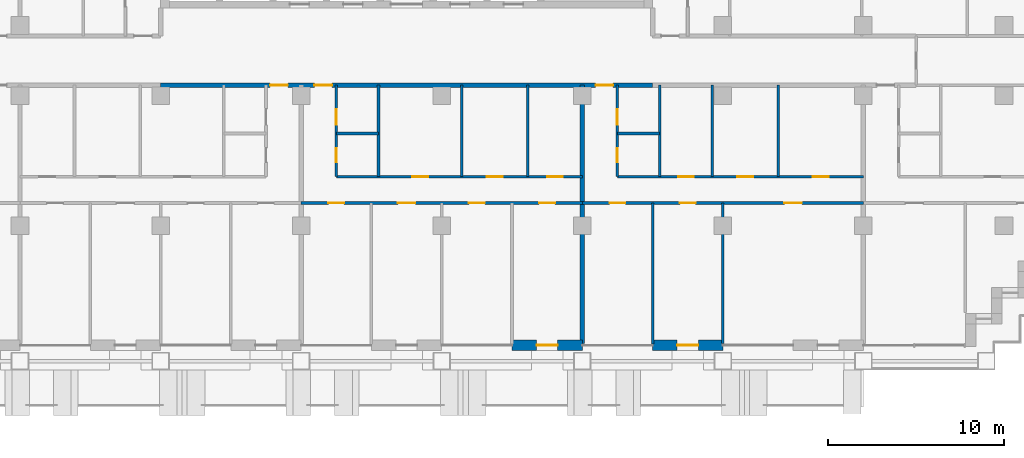
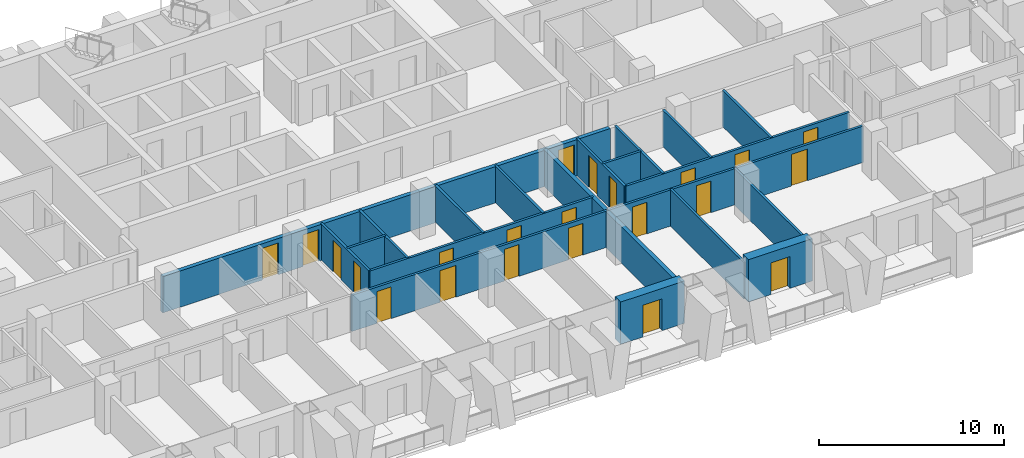
# One storey, part 11 of 19: 22 doors, 20 walls, 22 openings.
"""IFC4 building model written with IfcOpenShell, lengths in metres."""

from ifc_helpers import new_model, si_unit, direction, frame, frame_2d, origin, place, context, subcontext, project, spatial, rectangle, extrude, material, layer, layer_set, type_object, element, fill, save


model = new_model("IFC4")

# Units and contexts
model_context = context("Model", 3, precision=1e-05, world=origin(), true_north=direction((0.0, 1.0)))
body_context = subcontext(model_context, "Body", "Model", "MODEL_VIEW")
ifc_project = project(units=[si_unit("LENGTHUNIT", "METRE"), si_unit("AREAUNIT", "SQUARE_METRE"), si_unit("VOLUMEUNIT", "CUBIC_METRE"), si_unit("PLANEANGLEUNIT", "RADIAN"), si_unit("MASSUNIT", "GRAM", prefix="KILO")], contexts=[model_context])

# Site, building, storey
site_placement = place(None, origin())
site = spatial("IfcSite", under=ifc_project, at=site_placement, CompositionType="ELEMENT")
building_placement = place(site_placement, origin())
building = spatial("IfcBuilding", under=site, at=building_placement, Name="Vidyagriha Tower", CompositionType="ELEMENT")
storey_placement = place(building_placement, frame((0.0, 0.0, 60.800048828125)))
storey = spatial("IfcBuildingStorey", under=building, at=storey_placement, Name="L16", CompositionType="ELEMENT", Elevation=60.800048828125)

# Wall, opening, door
ifc_material_1 = material(Name="Precast concrete C40/50 with brick facing", Category="concrete")
ifc_layer_1 = layer(ifc_material_1, 0.60009765625)
ifc_layer_set_1 = layer_set([ifc_layer_1], Name="Precast concrete C40/50 with brick facing")
wall_type_1 = type_object("IfcWallType", Name="Brick-faced precast wall 600", PredefinedType="STANDARD", material=ifc_layer_set_1)
wall_1_placement = place(storey_placement, frame((6.0, -16.199951171875, 0.0)))
wall_1 = element("IfcWall", 1, at=wall_1_placement, inside=storey, type_object=wall_type_1, Name="Brick door bay wall L16 R23.11", PredefinedType="STANDARD", context=body_context, shape_type="SweptSolid", body=[
    extrude(rectangle(XDim=4.0, YDim=0.60009765625, at=frame_2d((2.0, 0.0))), origin(), (0.0, 0.0, 1.0), 2.800048828125),
])
opening_1_placement = place(wall_1_placement, frame((1.39990234375, 0.0, 0.0)))
opening_1 = element("IfcOpeningElement", 2, at=opening_1_placement, cuts=wall_1, Name="Opening D16-87", PredefinedType="OPENING", context=body_context, shape_type="SweptSolid", body=[
    extrude(rectangle(XDim=1.199951171875, YDim=2.10009765625, at=frame_2d((0.60009765625, 1.050048828125))), frame((0.0, 0.31005859375, 0.0), z_axis=(0.0, -1.0, 0.0), x_axis=(1.0, 0.0, 0.0)), (0.0, 0.0, 1.0), 0.6201171875),
])
ifc_material_2 = material(Name="Aluminium framed glazed sliding door", Category="aluminium")
door_type_1 = type_object("IfcDoorType", Name="Balcony sliding door 1200x2100", OperationType="NOTDEFINED", PredefinedType="DOOR", material=ifc_material_2)
door_1_placement = place(opening_1_placement, origin())
door_1 = element("IfcDoor", 3, at=door_1_placement, inside=storey, type_object=door_type_1, Name="Door D16-87", OperationType="SLIDING_TO_LEFT", OverallHeight=2.10009765625, OverallWidth=1.199951171875, PredefinedType="DOOR", context=body_context, shape_type="SweptSolid", body=[
    extrude(rectangle(XDim=1.199951171875, YDim=2.10009765625, at=frame_2d((0.60009765625, 1.050048828125))), frame((0.0, 0.02490234375, 0.0), z_axis=(0.0, -1.0, 0.0), x_axis=(1.0, 0.0, 0.0)), (0.0, 0.0, 1.0), 0.050048828125),
])
fill(opening_1, door_1)

wall_2_placement = place(storey_placement, frame((14.0, -16.199951171875, 0.0)))
wall_2 = element("IfcWall", 4, at=wall_2_placement, inside=storey, type_object=wall_type_1, Name="Brick door bay wall L16 R23.13", PredefinedType="STANDARD", context=body_context, shape_type="SweptSolid", body=[
    extrude(rectangle(XDim=4.0, YDim=0.60009765625, at=frame_2d((2.0, 0.0))), origin(), (0.0, 0.0, 1.0), 2.800048828125),
])
opening_2_placement = place(wall_2_placement, frame((1.39990234375, 0.0, 0.0)))
opening_2 = element("IfcOpeningElement", 5, at=opening_2_placement, cuts=wall_2, Name="Opening D16-88", PredefinedType="OPENING", context=body_context, shape_type="SweptSolid", body=[
    extrude(rectangle(XDim=1.199951171875, YDim=2.10009765625, at=frame_2d((0.60009765625, 1.050048828125))), frame((0.0, 0.31005859375, 0.0), z_axis=(0.0, -1.0, 0.0), x_axis=(1.0, 0.0, 0.0)), (0.0, 0.0, 1.0), 0.6201171875),
])
door_2_placement = place(opening_2_placement, origin())
door_2 = element("IfcDoor", 6, at=door_2_placement, inside=storey, type_object=door_type_1, Name="Door D16-88", OperationType="SLIDING_TO_LEFT", OverallHeight=2.10009765625, OverallWidth=1.199951171875, PredefinedType="DOOR", context=body_context, shape_type="SweptSolid", body=[
    extrude(rectangle(XDim=1.199951171875, YDim=2.10009765625, at=frame_2d((0.60009765625, 1.050048828125))), frame((0.0, 0.02490234375, 0.0), z_axis=(0.0, -1.0, 0.0), x_axis=(1.0, 0.0, 0.0)), (0.0, 0.0, 1.0), 0.050048828125),
])
fill(opening_2, door_2)

# Wall, openings, doors
ifc_material_3 = material(Name="Fired clay brick masonry", Category="masonry")
ifc_layer_2 = layer(ifc_material_3, 0.25)
ifc_layer_set_2 = layer_set([ifc_layer_2], Name="Fired clay brick masonry")
wall_type_2 = type_object("IfcWallType", Name="Fired clay brick corridor wall 250", PredefinedType="PARTITIONING", material=ifc_layer_set_2)
wall_3_placement = place(storey_placement, frame((14.0, -1.39990234375, 0.0), z_axis=(0.0, 0.0, 1.0), x_axis=(-1.0, 0.0, 0.0)))
wall_3 = element("IfcWall", 7, at=wall_3_placement, inside=storey, type_object=wall_type_2, Name="Wall all-L16-w146", PredefinedType="PARTITIONING", context=body_context, shape_type="SweptSolid", body=[
    extrude(rectangle(XDim=28.0, YDim=0.25, at=frame_2d((14.0, 0.0))), origin(), (0.0, 0.0, 1.0), 2.39990234375),
])
opening_3_placement = place(wall_3_placement, frame((20.760009765625, 0.0, 0.0)))
opening_3 = element("IfcOpeningElement", 8, at=opening_3_placement, cuts=wall_3, Name="Opening D16-31", PredefinedType="OPENING", context=body_context, shape_type="SweptSolid", body=[
    extrude(rectangle(XDim=1.0, YDim=2.10009765625, at=frame_2d((0.5, 1.050048828125))), frame((0.0, 0.135009765625, 0.0), z_axis=(0.0, -1.0, 0.0), x_axis=(1.0, 0.0, 0.0)), (0.0, 0.0, 1.0), 0.27001953125),
])
opening_4_placement = place(wall_3_placement, frame((18.239990234375, 0.0, 0.0)))
opening_4 = element("IfcOpeningElement", 9, at=opening_4_placement, cuts=wall_3, Name="Opening D16-41", PredefinedType="OPENING", context=body_context, shape_type="SweptSolid", body=[
    extrude(rectangle(XDim=1.0, YDim=2.10009765625, at=frame_2d((0.5, 1.050048828125))), frame((0.0, 0.135009765625, 0.0), z_axis=(0.0, -1.0, 0.0), x_axis=(1.0, 0.0, 0.0)), (0.0, 0.0, 1.0), 0.27001953125),
])
opening_5_placement = place(wall_3_placement, frame((2.239990234375, 0.0, 0.0)))
opening_5 = element("IfcOpeningElement", 10, at=opening_5_placement, cuts=wall_3, Name="Opening D16-50", PredefinedType="OPENING", context=body_context, shape_type="SweptSolid", body=[
    extrude(rectangle(XDim=1.0, YDim=2.10009765625, at=frame_2d((0.5, 1.050048828125))), frame((0.0, 0.135009765625, 0.0), z_axis=(0.0, -1.0, 0.0), x_axis=(1.0, 0.0, 0.0)), (0.0, 0.0, 1.0), 0.27001953125),
])
ifc_material_4 = material(Name="Fire-rated timber door leaf EI 60", Category="wood")
door_type_2 = type_object("IfcDoorType", Name="Flat entrance fire door 1000x2100", OperationType="NOTDEFINED", PredefinedType="DOOR", material=ifc_material_4)
door_3_placement = place(opening_3_placement, origin())
door_3 = element("IfcDoor", 11, at=door_3_placement, inside=storey, type_object=door_type_2, Name="Door D16-31", OperationType="SINGLE_SWING_LEFT", OverallHeight=2.10009765625, OverallWidth=1.0, PredefinedType="DOOR", context=body_context, shape_type="SweptSolid", body=[
    extrude(rectangle(XDim=1.0, YDim=2.10009765625, at=frame_2d((0.5, 1.050048828125))), frame((0.0, 0.02490234375, 0.0), z_axis=(0.0, -1.0, 0.0), x_axis=(1.0, 0.0, 0.0)), (0.0, 0.0, 1.0), 0.050048828125),
])
fill(opening_3, door_3)
door_4_placement = place(opening_4_placement, origin())
door_4 = element("IfcDoor", 12, at=door_4_placement, inside=storey, type_object=door_type_2, Name="Door D16-41", OperationType="SINGLE_SWING_RIGHT", OverallHeight=2.10009765625, OverallWidth=1.0, PredefinedType="DOOR", context=body_context, shape_type="SweptSolid", body=[
    extrude(rectangle(XDim=1.0, YDim=2.10009765625, at=frame_2d((0.5, 1.050048828125))), frame((0.0, 0.02490234375, 0.0), z_axis=(0.0, -1.0, 0.0), x_axis=(1.0, 0.0, 0.0)), (0.0, 0.0, 1.0), 0.050048828125),
])
fill(opening_4, door_4)
door_5_placement = place(opening_5_placement, origin())
door_5 = element("IfcDoor", 13, at=door_5_placement, inside=storey, type_object=door_type_2, Name="Door D16-50", OperationType="SINGLE_SWING_RIGHT", OverallHeight=2.10009765625, OverallWidth=1.0, PredefinedType="DOOR", context=body_context, shape_type="SweptSolid", body=[
    extrude(rectangle(XDim=1.0, YDim=2.10009765625, at=frame_2d((0.5, 1.050048828125))), frame((0.0, 0.02490234375, 0.0), z_axis=(0.0, -1.0, 0.0), x_axis=(1.0, 0.0, 0.0)), (0.0, 0.0, 1.0), 0.050048828125),
])
fill(opening_5, door_5)

# Walls
ifc_material_5 = material(Name="Fired clay brick masonry", Category="masonry")
ifc_layer_3 = layer(ifc_material_5, 0.25)
ifc_layer_set_3 = layer_set([ifc_layer_3], Name="Fired clay brick masonry")
wall_type_3 = type_object("IfcWallType", Name="Fired clay brick demising wall 250", PredefinedType="PARTITIONING", material=ifc_layer_set_3)
wall_4_placement = place(storey_placement, frame((10.0, -1.39990234375, 0.0), z_axis=(0.0, 0.0, 1.0), x_axis=(0.0, -1.0, 0.0)))
element("IfcWall", 14, at=wall_4_placement, inside=storey, type_object=wall_type_3, Name="Wall all-L16-w075", PredefinedType="PARTITIONING", context=body_context, shape_type="SweptSolid", body=[
    extrude(rectangle(XDim=14.710205078125, YDim=0.25, at=frame_2d((7.35498046875, 0.0))), origin(), (0.0, 0.0, 1.0), 2.39990234375),
])
ifc_material_6 = material(Name="Gypsum board partition")
ifc_layer_4 = layer(ifc_material_6, 0.14990234375)
ifc_layer_set_4 = layer_set([ifc_layer_4], Name="Gypsum board partition")
wall_type_4 = type_object("IfcWallType", Name="Gypsum board partition 150", PredefinedType="PARTITIONING", material=ifc_layer_set_4)
wall_5_placement = place(storey_placement, frame((-1.60009765625, -4.14990234375, 0.0), z_axis=(0.0, 0.0, 1.0), x_axis=(-1.0, 0.0, 0.0)))
element("IfcWall", 15, at=wall_5_placement, inside=storey, type_object=wall_type_4, Name="Wall all-L16-w039", PredefinedType="PARTITIONING", context=body_context, shape_type="SweptSolid", body=[
    extrude(rectangle(XDim=2.39990234375, YDim=0.14990234375, at=frame_2d((1.199951171875, 0.0))), origin(), (0.0, 0.0, 1.0), 2.39990234375),
])
for number, where, z_axis, x_axis, name in (
    (16, (-1.60009765625, -1.39990234375, 0.0), (0.0, 0.0, 1.0), (0.0, -1.0, 0.0), "Wall all-L16-w040"),
    (17, (3.14990234375, -1.39990234375, 0.0), (0.0, 0.0, 1.0), (0.0, -1.0, 0.0), "Wall all-L16-w041"),
    (18, (6.89990234375, -1.39990234375, 0.0), (0.0, 0.0, 1.0), (0.0, -1.0, 0.0), "Wall all-L16-w042"),
):
    element("IfcWall", number, at=place(storey_placement, frame(where, z_axis=z_axis, x_axis=x_axis)), inside=storey, type_object=wall_type_4, Name=name, PredefinedType="PARTITIONING", context=body_context, shape_type="SweptSolid", body=[
        extrude(rectangle(XDim=5.2001953125, YDim=0.14990234375, at=frame_2d((2.60009765625, 0.0))), origin(), (0.0, 0.0, 1.0), 2.39990234375),
    ])

# Wall, openings, doors
wall_6_placement = place(storey_placement, frame((-4.0, -6.60009765625, 0.0)))
wall_6 = element("IfcWall", 19, at=wall_6_placement, inside=storey, type_object=wall_type_4, Name="Wall all-L16-w043", PredefinedType="PARTITIONING", context=body_context, shape_type="SweptSolid", body=[
    extrude(rectangle(XDim=14.0, YDim=0.14990234375, at=frame_2d((7.0, 0.0))), origin(), (0.0, 0.0, 1.0), 2.39990234375),
])
opening_6_placement = place(wall_6_placement, frame((4.324951171875, 0.0, 0.0)))
opening_6 = element("IfcOpeningElement", 20, at=opening_6_placement, cuts=wall_6, Name="Opening D16-34", PredefinedType="OPENING", context=body_context, shape_type="SweptSolid", body=[
    extrude(rectangle(XDim=0.89990234375, YDim=2.10009765625, at=frame_2d((0.449951171875, 1.050048828125))), frame((0.0, 0.0849609375, 0.0), z_axis=(0.0, -1.0, 0.0), x_axis=(1.0, 0.0, 0.0)), (0.0, 0.0, 1.0), 0.169921875),
])
opening_7_placement = place(wall_6_placement, frame((8.574951171875, 0.0, 0.0)))
opening_7 = element("IfcOpeningElement", 21, at=opening_7_placement, cuts=wall_6, Name="Opening D16-35", PredefinedType="OPENING", context=body_context, shape_type="SweptSolid", body=[
    extrude(rectangle(XDim=0.89990234375, YDim=2.10009765625, at=frame_2d((0.449951171875, 1.050048828125))), frame((0.0, 0.0849609375, 0.0), z_axis=(0.0, -1.0, 0.0), x_axis=(1.0, 0.0, 0.0)), (0.0, 0.0, 1.0), 0.169921875),
])
opening_8_placement = place(wall_6_placement, frame((12.0, 0.0, 0.0)))
opening_8 = element("IfcOpeningElement", 22, at=opening_8_placement, cuts=wall_6, Name="Opening D16-36", PredefinedType="OPENING", context=body_context, shape_type="SweptSolid", body=[
    extrude(rectangle(XDim=0.89990234375, YDim=2.10009765625, at=frame_2d((0.449951171875, 1.050048828125))), frame((0.0, 0.0849609375, 0.0), z_axis=(0.0, -1.0, 0.0), x_axis=(1.0, 0.0, 0.0)), (0.0, 0.0, 1.0), 0.169921875),
])
ifc_material_7 = material(Name="Timber door leaf", Category="wood")
door_type_3 = type_object("IfcDoorType", Name="Room door 900x2100", OperationType="NOTDEFINED", PredefinedType="DOOR", material=ifc_material_7)
door_6_placement = place(opening_6_placement, origin())
door_6 = element("IfcDoor", 23, at=door_6_placement, inside=storey, type_object=door_type_3, Name="Door D16-34", OperationType="SINGLE_SWING_RIGHT", OverallHeight=2.10009765625, OverallWidth=0.89990234375, PredefinedType="DOOR", context=body_context, shape_type="SweptSolid", body=[
    extrude(rectangle(XDim=0.89990234375, YDim=2.10009765625, at=frame_2d((0.449951171875, 1.050048828125))), frame((0.0, 0.02490234375, 0.0), z_axis=(0.0, -1.0, 0.0), x_axis=(1.0, 0.0, 0.0)), (0.0, 0.0, 1.0), 0.050048828125),
])
fill(opening_6, door_6)
door_7_placement = place(opening_7_placement, origin())
door_7 = element("IfcDoor", 24, at=door_7_placement, inside=storey, type_object=door_type_3, Name="Door D16-35", OperationType="SINGLE_SWING_RIGHT", OverallHeight=2.10009765625, OverallWidth=0.89990234375, PredefinedType="DOOR", context=body_context, shape_type="SweptSolid", body=[
    extrude(rectangle(XDim=0.89990234375, YDim=2.10009765625, at=frame_2d((0.449951171875, 1.050048828125))), frame((0.0, 0.02490234375, 0.0), z_axis=(0.0, -1.0, 0.0), x_axis=(1.0, 0.0, 0.0)), (0.0, 0.0, 1.0), 0.050048828125),
])
fill(opening_7, door_7)
door_8_placement = place(opening_8_placement, origin())
door_8 = element("IfcDoor", 25, at=door_8_placement, inside=storey, type_object=door_type_3, Name="Door D16-36", OperationType="SINGLE_SWING_LEFT", OverallHeight=2.10009765625, OverallWidth=0.89990234375, PredefinedType="DOOR", context=body_context, shape_type="SweptSolid", body=[
    extrude(rectangle(XDim=0.89990234375, YDim=2.10009765625, at=frame_2d((0.449951171875, 1.050048828125))), frame((0.0, 0.02490234375, 0.0), z_axis=(0.0, -1.0, 0.0), x_axis=(1.0, 0.0, 0.0)), (0.0, 0.0, 1.0), 0.050048828125),
])
fill(opening_8, door_8)

wall_7_placement = place(storey_placement, frame((10.0, -8.10009765625, 0.0), z_axis=(0.0, 0.0, 1.0), x_axis=(-1.0, 0.0, 0.0)))
wall_7 = element("IfcWall", 26, at=wall_7_placement, inside=storey, type_object=wall_type_4, Name="Wall all-L16-w047", PredefinedType="PARTITIONING", context=body_context, shape_type="SweptSolid", body=[
    extrude(rectangle(XDim=16.0, YDim=0.14990234375, at=frame_2d((8.0, 0.0))), origin(), (0.0, 0.0, 1.0), 2.39990234375),
])
opening_9_placement = place(wall_7_placement, frame((13.550048828125, 0.0, 0.0)))
opening_9 = element("IfcOpeningElement", 27, at=opening_9_placement, cuts=wall_7, Name="Opening D16-37", PredefinedType="OPENING", context=body_context, shape_type="SweptSolid", body=[
    extrude(rectangle(XDim=0.89990234375, YDim=2.10009765625, at=frame_2d((0.449951171875, 1.050048828125))), frame((0.0, 0.0849609375, 0.0), z_axis=(0.0, -1.0, 0.0), x_axis=(1.0, 0.0, 0.0)), (0.0, 0.0, 1.0), 0.169921875),
])
opening_10_placement = place(wall_7_placement, frame((9.5, 0.0, 0.0)))
opening_10 = element("IfcOpeningElement", 28, at=opening_10_placement, cuts=wall_7, Name="Opening D16-38", PredefinedType="OPENING", context=body_context, shape_type="SweptSolid", body=[
    extrude(rectangle(XDim=1.0, YDim=2.10009765625, at=frame_2d((0.5, 1.050048828125))), frame((0.0, 0.0849609375, 0.0), z_axis=(0.0, -1.0, 0.0), x_axis=(1.0, 0.0, 0.0)), (0.0, 0.0, 1.0), 0.169921875),
])
opening_11_placement = place(wall_7_placement, frame((5.550048828125, 0.0, 0.0)))
opening_11 = element("IfcOpeningElement", 29, at=opening_11_placement, cuts=wall_7, Name="Opening D16-39", PredefinedType="OPENING", context=body_context, shape_type="SweptSolid", body=[
    extrude(rectangle(XDim=0.89990234375, YDim=2.10009765625, at=frame_2d((0.449951171875, 1.050048828125))), frame((0.0, 0.0849609375, 0.0), z_axis=(0.0, -1.0, 0.0), x_axis=(1.0, 0.0, 0.0)), (0.0, 0.0, 1.0), 0.169921875),
])
opening_12_placement = place(wall_7_placement, frame((1.550048828125, 0.0, 0.0)))
opening_12 = element("IfcOpeningElement", 30, at=opening_12_placement, cuts=wall_7, Name="Opening D16-40", PredefinedType="OPENING", context=body_context, shape_type="SweptSolid", body=[
    extrude(rectangle(XDim=0.89990234375, YDim=2.10009765625, at=frame_2d((0.449951171875, 1.050048828125))), frame((0.0, 0.0849609375, 0.0), z_axis=(0.0, -1.0, 0.0), x_axis=(1.0, 0.0, 0.0)), (0.0, 0.0, 1.0), 0.169921875),
])
ifc_material_8 = material(Name="Timber door leaf", Category="wood")
door_type_4 = type_object("IfcDoorType", Name="Room door 1000x2100", OperationType="NOTDEFINED", PredefinedType="DOOR", material=ifc_material_8)
door_9_placement = place(opening_10_placement, origin())
door_9 = element("IfcDoor", 31, at=door_9_placement, inside=storey, type_object=door_type_4, Name="Door D16-38", OperationType="SINGLE_SWING_RIGHT", OverallHeight=2.10009765625, OverallWidth=1.0, PredefinedType="DOOR", context=body_context, shape_type="SweptSolid", body=[
    extrude(rectangle(XDim=1.0, YDim=2.10009765625, at=frame_2d((0.5, 1.050048828125))), frame((0.0, 0.02490234375, 0.0), z_axis=(0.0, -1.0, 0.0), x_axis=(1.0, 0.0, 0.0)), (0.0, 0.0, 1.0), 0.050048828125),
])
fill(opening_10, door_9)
door_10_placement = place(opening_9_placement, origin())
door_10 = element("IfcDoor", 32, at=door_10_placement, inside=storey, type_object=door_type_3, Name="Door D16-37", OperationType="SINGLE_SWING_RIGHT", OverallHeight=2.10009765625, OverallWidth=0.89990234375, PredefinedType="DOOR", context=body_context, shape_type="SweptSolid", body=[
    extrude(rectangle(XDim=0.89990234375, YDim=2.10009765625, at=frame_2d((0.449951171875, 1.050048828125))), frame((0.0, 0.02490234375, 0.0), z_axis=(0.0, -1.0, 0.0), x_axis=(1.0, 0.0, 0.0)), (0.0, 0.0, 1.0), 0.050048828125),
])
fill(opening_9, door_10)
door_11_placement = place(opening_11_placement, origin())
door_11 = element("IfcDoor", 33, at=door_11_placement, inside=storey, type_object=door_type_3, Name="Door D16-39", OperationType="SINGLE_SWING_RIGHT", OverallHeight=2.10009765625, OverallWidth=0.89990234375, PredefinedType="DOOR", context=body_context, shape_type="SweptSolid", body=[
    extrude(rectangle(XDim=0.89990234375, YDim=2.10009765625, at=frame_2d((0.449951171875, 1.050048828125))), frame((0.0, 0.02490234375, 0.0), z_axis=(0.0, -1.0, 0.0), x_axis=(1.0, 0.0, 0.0)), (0.0, 0.0, 1.0), 0.050048828125),
])
fill(opening_11, door_11)
door_12_placement = place(opening_12_placement, origin())
door_12 = element("IfcDoor", 34, at=door_12_placement, inside=storey, type_object=door_type_3, Name="Door D16-40", OperationType="SINGLE_SWING_RIGHT", OverallHeight=2.10009765625, OverallWidth=0.89990234375, PredefinedType="DOOR", context=body_context, shape_type="SweptSolid", body=[
    extrude(rectangle(XDim=0.89990234375, YDim=2.10009765625, at=frame_2d((0.449951171875, 1.050048828125))), frame((0.0, 0.02490234375, 0.0), z_axis=(0.0, -1.0, 0.0), x_axis=(1.0, 0.0, 0.0)), (0.0, 0.0, 1.0), 0.050048828125),
])
fill(opening_12, door_12)

# Walls
wall_8_placement = place(storey_placement, frame((14.39990234375, -4.14990234375, 0.0), z_axis=(0.0, 0.0, 1.0), x_axis=(-1.0, 0.0, 0.0)))
element("IfcWall", 35, at=wall_8_placement, inside=storey, type_object=wall_type_4, Name="Wall all-L16-w060", PredefinedType="PARTITIONING", context=body_context, shape_type="SweptSolid", body=[
    extrude(rectangle(XDim=2.39990234375, YDim=0.14990234375, at=frame_2d((1.199951171875, 0.0))), origin(), (0.0, 0.0, 1.0), 2.39990234375),
])
for number, where, z_axis, x_axis, name in (
    (36, (14.39990234375, -1.39990234375, 0.0), (0.0, 0.0, 1.0), (0.0, -1.0, 0.0), "Wall all-L16-w061"),
    (37, (17.39990234375, -1.39990234375, 0.0), (0.0, 0.0, 1.0), (0.0, -1.0, 0.0), "Wall all-L16-w062"),
    (38, (21.14990234375, -1.39990234375, 0.0), (0.0, 0.0, 1.0), (0.0, -1.0, 0.0), "Wall all-L16-w063"),
):
    element("IfcWall", number, at=place(storey_placement, frame(where, z_axis=z_axis, x_axis=x_axis)), inside=storey, type_object=wall_type_4, Name=name, PredefinedType="PARTITIONING", context=body_context, shape_type="SweptSolid", body=[
        extrude(rectangle(XDim=5.2001953125, YDim=0.14990234375, at=frame_2d((2.60009765625, 0.0))), origin(), (0.0, 0.0, 1.0), 2.39990234375),
    ])

# Wall, openings, doors
wall_9_placement = place(storey_placement, frame((12.0, -6.60009765625, 0.0)))
wall_9 = element("IfcWall", 39, at=wall_9_placement, inside=storey, type_object=wall_type_4, Name="Wall all-L16-w064", PredefinedType="PARTITIONING", context=body_context, shape_type="SweptSolid", body=[
    extrude(rectangle(XDim=14.0, YDim=0.14990234375, at=frame_2d((7.0, 0.0))), origin(), (0.0, 0.0, 1.0), 2.39990234375),
])
opening_13_placement = place(wall_9_placement, frame((3.449951171875, 0.0, 0.0)))
opening_13 = element("IfcOpeningElement", 40, at=opening_13_placement, cuts=wall_9, Name="Opening D16-44", PredefinedType="OPENING", context=body_context, shape_type="SweptSolid", body=[
    extrude(rectangle(XDim=0.89990234375, YDim=2.10009765625, at=frame_2d((0.449951171875, 1.050048828125))), frame((0.0, 0.0849609375, 0.0), z_axis=(0.0, -1.0, 0.0), x_axis=(1.0, 0.0, 0.0)), (0.0, 0.0, 1.0), 0.169921875),
])
opening_14_placement = place(wall_9_placement, frame((6.824951171875, 0.0, 0.0)))
opening_14 = element("IfcOpeningElement", 41, at=opening_14_placement, cuts=wall_9, Name="Opening D16-45", PredefinedType="OPENING", context=body_context, shape_type="SweptSolid", body=[
    extrude(rectangle(XDim=0.89990234375, YDim=2.10009765625, at=frame_2d((0.449951171875, 1.050048828125))), frame((0.0, 0.0849609375, 0.0), z_axis=(0.0, -1.0, 0.0), x_axis=(1.0, 0.0, 0.0)), (0.0, 0.0, 1.0), 0.169921875),
])
opening_15_placement = place(wall_9_placement, frame((11.125, 0.0, 0.0)))
opening_15 = element("IfcOpeningElement", 42, at=opening_15_placement, cuts=wall_9, Name="Opening D16-46", PredefinedType="OPENING", context=body_context, shape_type="SweptSolid", body=[
    extrude(rectangle(XDim=0.89990234375, YDim=2.10009765625, at=frame_2d((0.449951171875, 1.050048828125))), frame((0.0, 0.0849609375, 0.0), z_axis=(0.0, -1.0, 0.0), x_axis=(1.0, 0.0, 0.0)), (0.0, 0.0, 1.0), 0.169921875),
])
door_13_placement = place(opening_13_placement, origin())
door_13 = element("IfcDoor", 43, at=door_13_placement, inside=storey, type_object=door_type_3, Name="Door D16-44", OperationType="SINGLE_SWING_RIGHT", OverallHeight=2.10009765625, OverallWidth=0.89990234375, PredefinedType="DOOR", context=body_context, shape_type="SweptSolid", body=[
    extrude(rectangle(XDim=0.89990234375, YDim=2.10009765625, at=frame_2d((0.449951171875, 1.050048828125))), frame((0.0, 0.02490234375, 0.0), z_axis=(0.0, -1.0, 0.0), x_axis=(1.0, 0.0, 0.0)), (0.0, 0.0, 1.0), 0.050048828125),
])
fill(opening_13, door_13)
door_14_placement = place(opening_14_placement, origin())
door_14 = element("IfcDoor", 44, at=door_14_placement, inside=storey, type_object=door_type_3, Name="Door D16-45", OperationType="SINGLE_SWING_RIGHT", OverallHeight=2.10009765625, OverallWidth=0.89990234375, PredefinedType="DOOR", context=body_context, shape_type="SweptSolid", body=[
    extrude(rectangle(XDim=0.89990234375, YDim=2.10009765625, at=frame_2d((0.449951171875, 1.050048828125))), frame((0.0, 0.02490234375, 0.0), z_axis=(0.0, -1.0, 0.0), x_axis=(1.0, 0.0, 0.0)), (0.0, 0.0, 1.0), 0.050048828125),
])
fill(opening_14, door_14)
door_15_placement = place(opening_15_placement, origin())
door_15 = element("IfcDoor", 45, at=door_15_placement, inside=storey, type_object=door_type_3, Name="Door D16-46", OperationType="SINGLE_SWING_RIGHT", OverallHeight=2.10009765625, OverallWidth=0.89990234375, PredefinedType="DOOR", context=body_context, shape_type="SweptSolid", body=[
    extrude(rectangle(XDim=0.89990234375, YDim=2.10009765625, at=frame_2d((0.449951171875, 1.050048828125))), frame((0.0, 0.02490234375, 0.0), z_axis=(0.0, -1.0, 0.0), x_axis=(1.0, 0.0, 0.0)), (0.0, 0.0, 1.0), 0.050048828125),
])
fill(opening_15, door_15)

wall_10_placement = place(storey_placement, frame((26.0, -8.10009765625, 0.0), z_axis=(0.0, 0.0, 1.0), x_axis=(-1.0, 0.0, 0.0)))
wall_10 = element("IfcWall", 46, at=wall_10_placement, inside=storey, type_object=wall_type_4, Name="Wall all-L16-w068", PredefinedType="PARTITIONING", context=body_context, shape_type="SweptSolid", body=[
    extrude(rectangle(XDim=16.0, YDim=0.14990234375, at=frame_2d((8.0, 0.0))), origin(), (0.0, 0.0, 1.0), 2.39990234375),
])
opening_16_placement = place(wall_10_placement, frame((13.550048828125, 0.0, 0.0)))
opening_16 = element("IfcOpeningElement", 47, at=opening_16_placement, cuts=wall_10, Name="Opening D16-47", PredefinedType="OPENING", context=body_context, shape_type="SweptSolid", body=[
    extrude(rectangle(XDim=0.89990234375, YDim=2.10009765625, at=frame_2d((0.449951171875, 1.050048828125))), frame((0.0, 0.0849609375, 0.0), z_axis=(0.0, -1.0, 0.0), x_axis=(1.0, 0.0, 0.0)), (0.0, 0.0, 1.0), 0.169921875),
])
opening_17_placement = place(wall_10_placement, frame((9.550048828125, 0.0, 0.0)))
opening_17 = element("IfcOpeningElement", 48, at=opening_17_placement, cuts=wall_10, Name="Opening D16-48", PredefinedType="OPENING", context=body_context, shape_type="SweptSolid", body=[
    extrude(rectangle(XDim=0.89990234375, YDim=2.10009765625, at=frame_2d((0.449951171875, 1.050048828125))), frame((0.0, 0.0849609375, 0.0), z_axis=(0.0, -1.0, 0.0), x_axis=(1.0, 0.0, 0.0)), (0.0, 0.0, 1.0), 0.169921875),
])
opening_18_placement = place(wall_10_placement, frame((3.5, 0.0, 0.0)))
opening_18 = element("IfcOpeningElement", 49, at=opening_18_placement, cuts=wall_10, Name="Opening D16-49", PredefinedType="OPENING", context=body_context, shape_type="SweptSolid", body=[
    extrude(rectangle(XDim=1.0, YDim=2.10009765625, at=frame_2d((0.5, 1.050048828125))), frame((0.0, 0.0849609375, 0.0), z_axis=(0.0, -1.0, 0.0), x_axis=(1.0, 0.0, 0.0)), (0.0, 0.0, 1.0), 0.169921875),
])
door_16_placement = place(opening_18_placement, origin())
door_16 = element("IfcDoor", 50, at=door_16_placement, inside=storey, type_object=door_type_4, Name="Door D16-49", OperationType="SINGLE_SWING_RIGHT", OverallHeight=2.10009765625, OverallWidth=1.0, PredefinedType="DOOR", context=body_context, shape_type="SweptSolid", body=[
    extrude(rectangle(XDim=1.0, YDim=2.10009765625, at=frame_2d((0.5, 1.050048828125))), frame((0.0, 0.02490234375, 0.0), z_axis=(0.0, -1.0, 0.0), x_axis=(1.0, 0.0, 0.0)), (0.0, 0.0, 1.0), 0.050048828125),
])
fill(opening_18, door_16)
door_17_placement = place(opening_16_placement, origin())
door_17 = element("IfcDoor", 51, at=door_17_placement, inside=storey, type_object=door_type_3, Name="Door D16-47", OperationType="SINGLE_SWING_RIGHT", OverallHeight=2.10009765625, OverallWidth=0.89990234375, PredefinedType="DOOR", context=body_context, shape_type="SweptSolid", body=[
    extrude(rectangle(XDim=0.89990234375, YDim=2.10009765625, at=frame_2d((0.449951171875, 1.050048828125))), frame((0.0, 0.02490234375, 0.0), z_axis=(0.0, -1.0, 0.0), x_axis=(1.0, 0.0, 0.0)), (0.0, 0.0, 1.0), 0.050048828125),
])
fill(opening_16, door_17)
door_18_placement = place(opening_17_placement, origin())
door_18 = element("IfcDoor", 52, at=door_18_placement, inside=storey, type_object=door_type_3, Name="Door D16-48", OperationType="SINGLE_SWING_RIGHT", OverallHeight=2.10009765625, OverallWidth=0.89990234375, PredefinedType="DOOR", context=body_context, shape_type="SweptSolid", body=[
    extrude(rectangle(XDim=0.89990234375, YDim=2.10009765625, at=frame_2d((0.449951171875, 1.050048828125))), frame((0.0, 0.02490234375, 0.0), z_axis=(0.0, -1.0, 0.0), x_axis=(1.0, 0.0, 0.0)), (0.0, 0.0, 1.0), 0.050048828125),
])
fill(opening_17, door_18)

# Walls
wall_11_placement = place(storey_placement, frame((14.0, -8.10009765625, 0.0), z_axis=(0.0, 0.0, 1.0), x_axis=(0.0, -1.0, 0.0)))
element("IfcWall", 53, at=wall_11_placement, inside=storey, type_object=wall_type_4, Name="Wall all-L16-w072", PredefinedType="PARTITIONING", context=body_context, shape_type="SweptSolid", body=[
    extrude(rectangle(XDim=8.02099609375, YDim=0.14990234375, at=frame_2d((4.010498046875, 0.0))), origin(), (0.0, 0.0, 1.0), 2.39990234375),
])
wall_12_placement = place(storey_placement, frame((18.0, -8.10009765625, 0.0), z_axis=(0.0, 0.0, 1.0), x_axis=(0.0, -1.0, 0.0)))
element("IfcWall", 54, at=wall_12_placement, inside=storey, type_object=wall_type_4, Name="Wall all-L16-w073", PredefinedType="PARTITIONING", context=body_context, shape_type="SweptSolid", body=[
    extrude(rectangle(XDim=8.010009765625, YDim=0.14990234375, at=frame_2d((4.0048828125, 0.0))), origin(), (0.0, 0.0, 1.0), 2.39990234375),
])

# Wall, openings, doors
ifc_material_9 = material(Name="Moisture resistant gypsum board partition")
ifc_layer_5 = layer(ifc_material_9, 0.14990234375)
ifc_layer_set_5 = layer_set([ifc_layer_5], Name="Moisture resistant gypsum board partition")
wall_type_5 = type_object("IfcWallType", Name="Gypsum board wet-area partition 150", PredefinedType="PARTITIONING", material=ifc_layer_set_5)
wall_13_placement = place(storey_placement, frame((-4.0, -1.39990234375, 0.0), z_axis=(0.0, 0.0, 1.0), x_axis=(0.0, -1.0, 0.0)))
wall_13 = element("IfcWall", 55, at=wall_13_placement, inside=storey, type_object=wall_type_5, Name="Wall all-L16-w036", PredefinedType="PARTITIONING", context=body_context, shape_type="SweptSolid", body=[
    extrude(rectangle(XDim=5.2001953125, YDim=0.14990234375, at=frame_2d((2.60009765625, 0.0))), origin(), (0.0, 0.0, 1.0), 2.39990234375),
])
opening_19_placement = place(wall_13_placement, frame((1.360107421875, 0.0, 0.0)))
opening_19 = element("IfcOpeningElement", 56, at=opening_19_placement, cuts=wall_13, Name="Opening D16-32", PredefinedType="OPENING", context=body_context, shape_type="SweptSolid", body=[
    extrude(rectangle(XDim=0.89990234375, YDim=2.10009765625, at=frame_2d((0.449951171875, 1.050048828125))), frame((0.0, 0.0849609375, 0.0), z_axis=(0.0, -1.0, 0.0), x_axis=(1.0, 0.0, 0.0)), (0.0, 0.0, 1.0), 0.169921875),
])
opening_20_placement = place(wall_13_placement, frame((3.574951171875, 0.0, 0.0)))
opening_20 = element("IfcOpeningElement", 57, at=opening_20_placement, cuts=wall_13, Name="Opening D16-33", PredefinedType="OPENING", context=body_context, shape_type="SweptSolid", body=[
    extrude(rectangle(XDim=0.800048828125, YDim=2.10009765625, at=frame_2d((0.39990234375, 1.050048828125))), frame((0.0, 0.0849609375, 0.0), z_axis=(0.0, -1.0, 0.0), x_axis=(1.0, 0.0, 0.0)), (0.0, 0.0, 1.0), 0.169921875),
])
ifc_material_10 = material(Name="Timber door leaf", Category="wood")
door_type_5 = type_object("IfcDoorType", Name="Bathroom door 800x2100", OperationType="NOTDEFINED", PredefinedType="DOOR", material=ifc_material_10)
door_19_placement = place(opening_20_placement, origin())
door_19 = element("IfcDoor", 58, at=door_19_placement, inside=storey, type_object=door_type_5, Name="Door D16-33", OperationType="SINGLE_SWING_RIGHT", OverallHeight=2.10009765625, OverallWidth=0.800048828125, PredefinedType="DOOR", context=body_context, shape_type="SweptSolid", body=[
    extrude(rectangle(XDim=0.800048828125, YDim=2.10009765625, at=frame_2d((0.39990234375, 1.050048828125))), frame((0.0, 0.02490234375, 0.0), z_axis=(0.0, -1.0, 0.0), x_axis=(1.0, 0.0, 0.0)), (0.0, 0.0, 1.0), 0.050048828125),
])
fill(opening_20, door_19)
ifc_material_11 = material(Name="Timber door leaf", Category="wood")
door_type_6 = type_object("IfcDoorType", Name="Kitchen door 900x2100", OperationType="NOTDEFINED", PredefinedType="DOOR", material=ifc_material_11)
door_20_placement = place(opening_19_placement, origin())
door_20 = element("IfcDoor", 59, at=door_20_placement, inside=storey, type_object=door_type_6, Name="Door D16-32", OperationType="SINGLE_SWING_RIGHT", OverallHeight=2.10009765625, OverallWidth=0.89990234375, PredefinedType="DOOR", context=body_context, shape_type="SweptSolid", body=[
    extrude(rectangle(XDim=0.89990234375, YDim=2.10009765625, at=frame_2d((0.449951171875, 1.050048828125))), frame((0.0, 0.02490234375, 0.0), z_axis=(0.0, -1.0, 0.0), x_axis=(1.0, 0.0, 0.0)), (0.0, 0.0, 1.0), 0.050048828125),
])
fill(opening_19, door_20)

wall_14_placement = place(storey_placement, frame((12.0, -1.39990234375, 0.0), z_axis=(0.0, 0.0, 1.0), x_axis=(0.0, -1.0, 0.0)))
wall_14 = element("IfcWall", 60, at=wall_14_placement, inside=storey, type_object=wall_type_5, Name="Wall all-L16-w057", PredefinedType="PARTITIONING", context=body_context, shape_type="SweptSolid", body=[
    extrude(rectangle(XDim=5.2001953125, YDim=0.14990234375, at=frame_2d((2.60009765625, 0.0))), origin(), (0.0, 0.0, 1.0), 2.39990234375),
])
opening_21_placement = place(wall_14_placement, frame((1.360107421875, 0.0, 0.0)))
opening_21 = element("IfcOpeningElement", 61, at=opening_21_placement, cuts=wall_14, Name="Opening D16-42", PredefinedType="OPENING", context=body_context, shape_type="SweptSolid", body=[
    extrude(rectangle(XDim=0.89990234375, YDim=2.10009765625, at=frame_2d((0.449951171875, 1.050048828125))), frame((0.0, 0.0849609375, 0.0), z_axis=(0.0, -1.0, 0.0), x_axis=(1.0, 0.0, 0.0)), (0.0, 0.0, 1.0), 0.169921875),
])
opening_22_placement = place(wall_14_placement, frame((3.574951171875, 0.0, 0.0)))
opening_22 = element("IfcOpeningElement", 62, at=opening_22_placement, cuts=wall_14, Name="Opening D16-43", PredefinedType="OPENING", context=body_context, shape_type="SweptSolid", body=[
    extrude(rectangle(XDim=0.800048828125, YDim=2.10009765625, at=frame_2d((0.39990234375, 1.050048828125))), frame((0.0, 0.0849609375, 0.0), z_axis=(0.0, -1.0, 0.0), x_axis=(1.0, 0.0, 0.0)), (0.0, 0.0, 1.0), 0.169921875),
])
door_21_placement = place(opening_22_placement, origin())
door_21 = element("IfcDoor", 63, at=door_21_placement, inside=storey, type_object=door_type_5, Name="Door D16-43", OperationType="SINGLE_SWING_RIGHT", OverallHeight=2.10009765625, OverallWidth=0.800048828125, PredefinedType="DOOR", context=body_context, shape_type="SweptSolid", body=[
    extrude(rectangle(XDim=0.800048828125, YDim=2.10009765625, at=frame_2d((0.39990234375, 1.050048828125))), frame((0.0, 0.02490234375, 0.0), z_axis=(0.0, -1.0, 0.0), x_axis=(1.0, 0.0, 0.0)), (0.0, 0.0, 1.0), 0.050048828125),
])
fill(opening_22, door_21)
door_22_placement = place(opening_21_placement, origin())
door_22 = element("IfcDoor", 64, at=door_22_placement, inside=storey, type_object=door_type_6, Name="Door D16-42", OperationType="SINGLE_SWING_RIGHT", OverallHeight=2.10009765625, OverallWidth=0.89990234375, PredefinedType="DOOR", context=body_context, shape_type="SweptSolid", body=[
    extrude(rectangle(XDim=0.89990234375, YDim=2.10009765625, at=frame_2d((0.449951171875, 1.050048828125))), frame((0.0, 0.02490234375, 0.0), z_axis=(0.0, -1.0, 0.0), x_axis=(1.0, 0.0, 0.0)), (0.0, 0.0, 1.0), 0.050048828125),
])
fill(opening_21, door_22)

save(model, "model.ifc")
